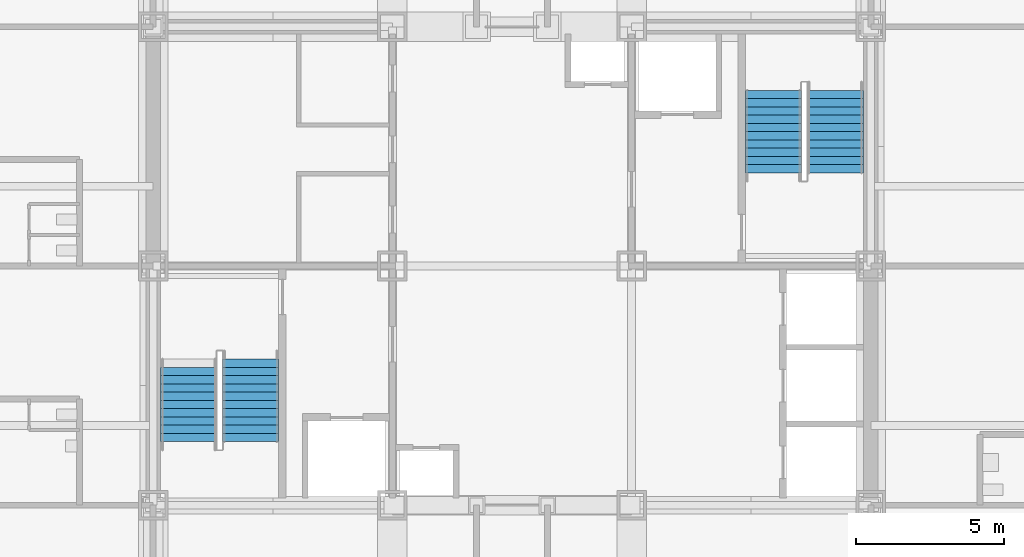
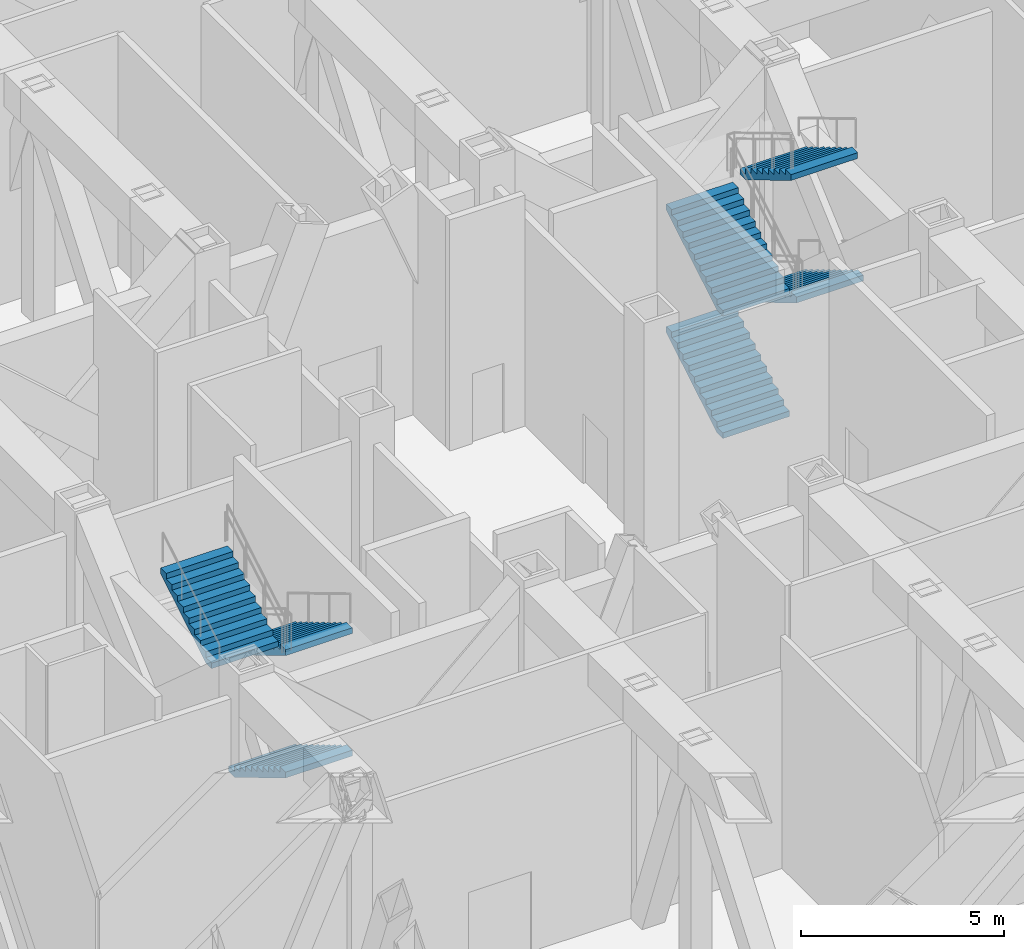
# One storey, part 11 of 13: 7 stair flights, 2 elements without a shape of their own.
"""IFC4 building model written with IfcOpenShell, lengths in metres."""

import ifcopenshell
import ifcopenshell.guid

model = None  # the IFC model being written
_history = None  # IfcOwnerHistory: only IFC2X3 demands one
_inside = {}  # id of a spatial element -> (the spatial element, [elements in it])
_under = {}  # id of a project, library or spatial element -> (it, [spatial elements below it])
_declared = {}  # id of a project -> (the project, [libraries it declares])
_typed = {}  # id of a type object -> (the type object, [elements of that type])
_made_of = {}  # id of a material, layer set ... -> (it, [elements and type objects made of it])


def new_model(schema):
    """Start an empty IFC model of exactly this schema.

    Asked for "IFC4X3", IfcOpenShell would pick the latest addendum, in which some entities
    have other attributes; the version numbers below select the first issue.
    IFC2X3 requires an IfcOwnerHistory on every rooted entity: one is made here for all.
    """
    global model, _history
    if schema == "IFC4X3":
        model = ifcopenshell.file(schema_version=(4, 3, 0, 0))
    else:
        model = ifcopenshell.file(schema=schema)
    _inside.clear()
    _under.clear()
    _declared.clear()
    _typed.clear()
    _made_of.clear()
    _history = None
    if model.schema == "IFC2X3":
        org = make("IfcOrganization", Name="unknown")
        user = make(
            "IfcPersonAndOrganization",
            ThePerson=make("IfcPerson", FamilyName="unknown"),
            TheOrganization=org,
        )
        app = make(
            "IfcApplication",
            ApplicationDeveloper=org,
            Version="unknown",
            ApplicationFullName="unknown",
            ApplicationIdentifier="unknown",
        )
        _history = make(
            "IfcOwnerHistory",
            OwningUser=user,
            OwningApplication=app,
            ChangeAction="ADDED",
            CreationDate=0,
        )
    return model


def make(cls, **values):
    """One entity of the class cls with the attributes given. An attribute that is None is left unset."""
    return model.create_entity(
        cls, **{name: value for name, value in values.items() if value is not None}
    )


def rooted(cls, **values):
    """An entity with a GlobalId (a new one), such as an element, a storey or a relation."""
    return make(cls, GlobalId=ifcopenshell.guid.new(), OwnerHistory=_history, **values)


def si_unit(unit_type, name, prefix=None):
    """IfcSIUnit, for example si_unit("LENGTHUNIT", "METRE", prefix="MILLI")."""
    return make("IfcSIUnit", UnitType=unit_type, Prefix=prefix, Name=name)


def assignment(units):
    """IfcUnitAssignment: the units of a project."""
    return None if units is None else make("IfcUnitAssignment", Units=units)


def point(xyz):
    """IfcCartesianPoint."""
    return None if xyz is None else make("IfcCartesianPoint", Coordinates=xyz)


def direction(xyz):
    """IfcDirection."""
    return None if xyz is None else make("IfcDirection", DirectionRatios=xyz)


def frame(location, z_axis=None, x_axis=None):
    """IfcAxis2Placement3D, a coordinate frame: its origin and axes. An axis left out is left unset."""
    return make(
        "IfcAxis2Placement3D",
        Location=point(location),
        Axis=direction(z_axis),
        RefDirection=direction(x_axis),
    )


def origin():
    """The frame at (0, 0, 0) with its axes left unset."""
    return frame((0.0, 0.0, 0.0))


def place(relative_to, where):
    """IfcLocalPlacement: puts the frame where relative to a parent placement (None: the world)."""
    return make(
        "IfcLocalPlacement", PlacementRelTo=relative_to, RelativePlacement=where
    )


def context(
    kind, dimensions, precision=None, world=None, true_north=None, identifier=None
):
    """IfcGeometricRepresentationContext, for example the 3D "Model" context."""
    return make(
        "IfcGeometricRepresentationContext",
        ContextIdentifier=identifier,
        ContextType=kind,
        CoordinateSpaceDimension=dimensions,
        Precision=precision,
        WorldCoordinateSystem=world,
        TrueNorth=true_north,
    )


def subcontext(parent, identifier, kind, view, scale=None):
    """IfcGeometricRepresentationSubContext, for example "Body" below "Model"."""
    return make(
        "IfcGeometricRepresentationSubContext",
        ContextIdentifier=identifier,
        ContextType=kind,
        ParentContext=parent,
        TargetScale=scale,
        TargetView=view,
    )


def project(units=None, contexts=None):
    """IfcProject with its units and contexts."""
    return rooted(
        "IfcProject",
        Name="project",
        RepresentationContexts=contexts,
        UnitsInContext=assignment(units),
    )


def spatial(cls, under=None, at=None, **own):
    """A site, building, storey or space (cls), placed at a placement, below another one or the project."""
    s = rooted(cls, ObjectPlacement=at, **own)
    if under is not None:
        _under.setdefault(under.id(), (under, []))[1].append(s)
    return s


def point_list(points):
    """IfcCartesianPointList2D or 3D."""
    cls = (
        "IfcCartesianPointList2D" if len(points[0]) == 2 else "IfcCartesianPointList3D"
    )
    return make(cls, CoordList=points)


def polygons(points, faces, closed=None, point_numbers=None):
    """IfcPolygonalFaceSet: a face is its outer loop, then its inner loops; points numbered from 1."""
    made = []
    for loops in faces:
        if len(loops) == 1:
            made.append(make("IfcIndexedPolygonalFace", CoordIndex=loops[0]))
        else:
            made.append(
                make(
                    "IfcIndexedPolygonalFaceWithVoids",
                    CoordIndex=loops[0],
                    InnerCoordIndices=loops[1:],
                )
            )
    return make(
        "IfcPolygonalFaceSet",
        Coordinates=point_list(points),
        Closed=closed,
        Faces=made,
        PnIndex=point_numbers,
    )


def shape(context_of_items, identifier, shape_type, items):
    """IfcShapeRepresentation: the items that make up one representation, for example the "Body"."""
    return make(
        "IfcShapeRepresentation",
        ContextOfItems=context_of_items,
        RepresentationIdentifier=identifier,
        RepresentationType=shape_type,
        Items=items,
    )


def source(mapping_origin, context_of_items, identifier, shape_type, items):
    """IfcRepresentationMap: a shape defined once, which mapped items show again and again."""
    return make(
        "IfcRepresentationMap",
        MappingOrigin=mapping_origin,
        MappedRepresentation=shape(context_of_items, identifier, shape_type, items),
    )


def transform(
    local_origin,
    x_axis=None,
    y_axis=None,
    z_axis=None,
    scale=None,
    scale2=None,
    scale3=None,
    uniform=True,
):
    """IfcCartesianTransformationOperator3D, or its non-uniform kind. x_axis, y_axis, z_axis: its Axis1, 2, 3."""
    if uniform:
        return make(
            "IfcCartesianTransformationOperator3D",
            Axis1=direction(x_axis),
            Axis2=direction(y_axis),
            LocalOrigin=point(local_origin),
            Scale=scale,
            Axis3=direction(z_axis),
        )
    return make(
        "IfcCartesianTransformationOperator3DnonUniform",
        Axis1=direction(x_axis),
        Axis2=direction(y_axis),
        LocalOrigin=point(local_origin),
        Scale=scale,
        Axis3=direction(z_axis),
        Scale2=scale2,
        Scale3=scale3,
    )


def mapped(mapping_source, mapping_target):
    """IfcMappedItem: shows the shape of a source again, moved by a transform."""
    return make(
        "IfcMappedItem", MappingSource=mapping_source, MappingTarget=mapping_target
    )


def material(Name=None, Category=None):
    """IfcMaterial."""
    return make("IfcMaterial", Name=Name, Category=Category)


def made_of(thing, what):
    """Note that an element or type object is made of a material, layer set ...; save() writes the relation."""
    if what is not None:
        _made_of.setdefault(what.id(), (what, []))[1].append(thing)
    return thing


def type_object(cls, material=None, **own):
    """A type object (cls), such as IfcWallType, which elements share."""
    return made_of(rooted(cls, **own), material)


def element(
    cls,
    number,
    at=None,
    inside=None,
    cuts=None,
    type_object=None,
    material=None,
    context=None,
    identifier="Body",
    shape_type=None,
    held_by="IfcProductDefinitionShape",
    body=None,
    shapes=None,
    **own,
):
    """One element of the class cls, such as IfcWall. Its Tag is "e" and its number.

    at: its placement. inside: the storey or other place that contains it. cuts: it is an
    opening in that element (IfcRelVoidsElement). A single representation is given by context,
    identifier, shape_type and body (its items); several are given by shapes. held_by: the class
    of the entity that holds the representations. save() writes the other relations.
    """
    e = rooted(cls, Tag="e%d" % number, ObjectPlacement=at, **own)
    if body is not None:
        shapes = [shape(context, identifier, shape_type, body)]
    if shapes is not None:
        e.Representation = make(held_by, Representations=shapes)
    if inside is not None:
        _inside.setdefault(inside.id(), (inside, []))[1].append(e)
    if cuts is not None:
        rooted(
            "IfcRelVoidsElement", RelatingBuildingElement=cuts, RelatedOpeningElement=e
        )
    if type_object is not None:
        _typed.setdefault(type_object.id(), (type_object, []))[1].append(e)
    return made_of(e, material)


def aggregate(whole, parts):
    """IfcRelAggregates: a whole, such as a stair, and the parts it consists of."""
    return rooted("IfcRelAggregates", RelatingObject=whole, RelatedObjects=parts)


def save(model, path):
    """Write the relations noted so far, then the file.

    IfcRelAggregates (storeys below a building ...), IfcRelContainedInSpatialStructure (elements
    in a storey), IfcRelDefinesByType, IfcRelAssociatesMaterial and IfcRelDeclares: one each for
    every whole, place, type object, material and project.
    """
    for whole, parts in _under.values():
        aggregate(whole, parts)
    for where, things in _inside.values():
        rooted(
            "IfcRelContainedInSpatialStructure",
            RelatedElements=things,
            RelatingStructure=where,
        )
    for kind, things in _typed.values():
        rooted("IfcRelDefinesByType", RelatedObjects=things, RelatingType=kind)
    for what, things in _made_of.values():
        rooted("IfcRelAssociatesMaterial", RelatedObjects=things, RelatingMaterial=what)
    for by, libraries in _declared.values():
        rooted("IfcRelDeclares", RelatingContext=by, RelatedDefinitions=libraries)
    model.write(path)


model = new_model("IFC4")

# Units and contexts
model_context = context("Model", 3, precision=1e-05, world=origin(), true_north=direction((0.0, 1.0)))
body_context = subcontext(model_context, "Body", "Model", "MODEL_VIEW")
ifc_project = project(units=[si_unit("LENGTHUNIT", "METRE"), si_unit("AREAUNIT", "SQUARE_METRE"), si_unit("VOLUMEUNIT", "CUBIC_METRE"), si_unit("PLANEANGLEUNIT", "RADIAN"), si_unit("MASSUNIT", "GRAM", prefix="KILO")], contexts=[model_context])

# Site, building, storey
site_placement = place(None, origin())
site = spatial("IfcSite", under=ifc_project, at=site_placement, CompositionType="ELEMENT")
building_placement = place(site_placement, origin())
building = spatial("IfcBuilding", under=site, at=building_placement, Name="Kopane Lantern Tower", CompositionType="ELEMENT")
storey_placement = place(building_placement, frame((0.0, 0.0, 235.199951171875)))
storey = spatial("IfcBuildingStorey", under=building, at=storey_placement, Name="L61", CompositionType="ELEMENT", Elevation=235.199951171875)

# Stair, stair flights
ifc_material_1 = material(Name="Steel S355JR", Category="steel")
stair_type = type_object("IfcStairType", Name="EXIT STAIR 1900 HALF TURN", PredefinedType="HALF_TURN_STAIR", material=ifc_material_1)
stair_1_placement = place(storey_placement, origin())
stair_1 = element("IfcStair", 1, at=stair_1_placement, inside=storey, type_object=stair_type, Name="Exit stair ST1 L61", PredefinedType="HALF_TURN_STAIR")
ifc_material_2 = material(Name="Steel S355JR", Category="steel")
stair_flight_type = type_object("IfcStairFlightType", Name="STAIR FLIGHT 1900 STEEL", PredefinedType="STRAIGHT", material=ifc_material_2)
shared_shape_1 = source(origin(), body_context, "Body", "Tessellation", [
    polygons([(2.800048828, 0.949951172, 1.674316406), (2.520019531, 0.949951172, 1.674316406), (2.520019531, -0.949951172, 1.674316406), (2.800048828, -0.949951172, 1.674316406), (0.291992188, 0.949951172, 0.0), (2.800048828, 0.949951172, 1.499755859), (2.800048828, -0.949951172, 1.499755859), (0.291992188, -0.949951172, 0.0), (0.0, 0.949951172, 0.0), (0.0, -0.949951172, 0.0), (0.280029297, 0.949951172, 0.167480469), (0.0, 0.949951172, 0.167480469), (0.0, -0.949951172, 0.167480469), (0.280029297, -0.949951172, 0.167480469), (0.280029297, 0.949951172, 0.334960938), (0.280029297, -0.949951172, 0.334960938), (0.560058594, 0.949951172, 0.334960938), (0.560058594, -0.949951172, 0.334960938), (0.560058594, 0.949951172, 0.502441406), (0.560058594, -0.949951172, 0.502441406), (0.840087891, 0.949951172, 0.502441406), (0.840087891, -0.949951172, 0.502441406), (0.840087891, 0.949951172, 0.669677734), (0.840087891, -0.949951172, 0.669677734), (1.120117188, 0.949951172, 0.669677734), (1.120117188, -0.949951172, 0.669677734), (1.120117188, 0.949951172, 0.837158203), (1.120117188, -0.949951172, 0.837158203), (1.399902344, 0.949951172, 0.837158203), (1.399902344, -0.949951172, 0.837158203), (1.399902344, 0.949951172, 1.004638672), (1.399902344, -0.949951172, 1.004638672), (1.679931641, 0.949951172, 1.004638672), (1.679931641, -0.949951172, 1.004638672), (1.679931641, 0.949951172, 1.172119141), (1.679931641, -0.949951172, 1.172119141), (1.959960938, 0.949951172, 1.172119141), (1.959960938, -0.949951172, 1.172119141), (1.959960938, 0.949951172, 1.339599609), (1.959960938, -0.949951172, 1.339599609), (2.239990234, 0.949951172, 1.339599609), (2.239990234, -0.949951172, 1.339599609), (2.239990234, 0.949951172, 1.507080078), (2.239990234, -0.949951172, 1.507080078), (2.520019531, 0.949951172, 1.507080078), (2.520019531, -0.949951172, 1.507080078), (0.0, 0.0, 0.004526499), (0.0, 0.0, 0.009052998), (0.0, 0.0, 0.013579497), (0.0, 0.0, 0.018105997), (0.0, 0.0, 0.022632496), (0.0, 0.0, 0.027158995), (0.0, 0.0, 0.031685494), (0.0, 0.0, 0.036211993), (0.0, 0.0, 0.040738492), (0.0, 0.0, 0.045264992), (0.0, 0.0, 0.049791491), (0.0, 0.0, 0.05431799), (0.0, 0.0, 0.058844489), (0.0, 0.0, 0.063370988), (0.0, 0.0, 0.067897487), (0.0, 0.0, 0.072423986), (0.0, 0.0, 0.076950486), (0.0, 0.0, 0.081476985), (0.0, 0.0, 0.086003484), (0.0, 0.0, 0.090529983), (0.0, 0.0, 0.095056482), (0.0, 0.0, 0.099582981), (0.0, 0.0, 0.104109481), (0.0, 0.0, 0.10863598), (0.0, 0.0, 0.113162479), (0.0, 0.0, 0.117688978), (0.0, 0.0, 0.122215477), (0.0, 0.0, 0.126741976), (0.0, 0.0, 0.131268476), (0.0, 0.0, 0.135794975), (0.0, 0.0, 0.140321474), (0.0, 0.0, 0.144847973), (0.0, 0.0, 0.149374472), (0.0, 0.0, 0.153900971), (0.0, 0.0, 0.15842747), (0.0, 0.0, 0.16295397), (2.800048828, 0.0, 1.504473712), (2.800048828, 0.0, 1.509191565), (2.800048828, 0.0, 1.513909417), (2.800048828, 0.0, 1.51862727), (2.800048828, 0.0, 1.523345122), (2.800048828, 0.0, 1.528062975), (2.800048828, 0.0, 1.532780828), (2.800048828, 0.0, 1.53749868), (2.800048828, 0.0, 1.542216533), (2.800048828, 0.0, 1.546934386), (2.800048828, 0.0, 1.551652238), (2.800048828, 0.0, 1.556370091), (2.800048828, 0.0, 1.561087943), (2.800048828, 0.0, 1.565805796), (2.800048828, 0.0, 1.570523649), (2.800048828, 0.0, 1.575241501), (2.800048828, 0.0, 1.579959354), (2.800048828, 0.0, 1.584677207), (2.800048828, 0.0, 1.589395059), (2.800048828, 0.0, 1.594112912), (2.800048828, 0.0, 1.598830764), (2.800048828, 0.0, 1.603548617), (2.800048828, 0.0, 1.60826647), (2.800048828, 0.0, 1.612984322), (2.800048828, 0.0, 1.617702175), (2.800048828, 0.0, 1.622420027), (2.800048828, 0.0, 1.62713788), (2.800048828, 0.0, 1.631855733), (2.800048828, 0.0, 1.636573585), (2.800048828, 0.0, 1.641291438), (2.800048828, 0.0, 1.646009291), (2.800048828, 0.0, 1.650727143), (2.800048828, 0.0, 1.655444996), (2.800048828, 0.0, 1.660162848), (2.800048828, 0.0, 1.664880701), (2.800048828, 0.0, 1.669598554)], [[[1, 2, 3]], [[1, 3, 4]], [[5, 6, 7]], [[5, 7, 8]], [[9, 5, 8]], [[9, 8, 10]], [[11, 12, 13]], [[11, 13, 14]], [[15, 11, 14]], [[15, 14, 16]], [[17, 15, 16]], [[17, 16, 18]], [[19, 17, 18]], [[19, 18, 20]], [[21, 19, 20]], [[21, 20, 22]], [[23, 21, 22]], [[23, 22, 24]], [[25, 23, 24]], [[25, 24, 26]], [[27, 25, 26]], [[27, 26, 28]], [[29, 27, 28]], [[29, 28, 30]], [[31, 29, 30]], [[31, 30, 32]], [[33, 31, 32]], [[33, 32, 34]], [[35, 33, 34]], [[35, 34, 36]], [[37, 35, 36]], [[37, 36, 38]], [[39, 37, 38]], [[39, 38, 40]], [[41, 39, 40]], [[41, 40, 42]], [[43, 41, 42]], [[43, 42, 44]], [[45, 43, 44]], [[45, 44, 46]], [[2, 45, 46]], [[2, 46, 3]], [[45, 1, 6]], [[41, 45, 6]], [[2, 1, 45]], [[37, 41, 6]], [[43, 45, 41]], [[39, 41, 37]], [[35, 37, 33]], [[31, 33, 29]], [[5, 21, 25]], [[27, 29, 25]], [[17, 21, 5]], [[23, 25, 21]], [[11, 17, 5]], [[19, 21, 17]], [[9, 11, 5]], [[15, 17, 11]], [[12, 11, 9]], [[6, 5, 25]], [[6, 25, 29]], [[6, 29, 33]], [[6, 33, 37]], [[7, 4, 46]], [[7, 46, 42]], [[46, 4, 3]], [[7, 42, 38]], [[42, 46, 44]], [[38, 42, 40]], [[34, 38, 36]], [[30, 34, 32]], [[26, 22, 8]], [[26, 30, 28]], [[8, 22, 18]], [[22, 26, 24]], [[8, 18, 14]], [[18, 22, 20]], [[8, 14, 10]], [[14, 18, 16]], [[10, 14, 13]], [[26, 8, 7]], [[30, 26, 7]], [[34, 30, 7]], [[38, 34, 7]], [[10, 47, 9]], [[10, 48, 47]], [[9, 47, 48]], [[10, 49, 48]], [[9, 48, 49]], [[10, 50, 49]], [[9, 49, 50]], [[10, 51, 50]], [[9, 50, 51]], [[10, 52, 51]], [[9, 51, 52]], [[10, 53, 52]], [[9, 52, 53]], [[10, 54, 53]], [[9, 53, 54]], [[10, 55, 54]], [[9, 54, 55]], [[10, 56, 55]], [[9, 55, 56]], [[10, 57, 56]], [[9, 56, 57]], [[10, 58, 57]], [[9, 57, 58]], [[10, 59, 58]], [[9, 58, 59]], [[10, 60, 59]], [[9, 59, 60]], [[10, 61, 60]], [[9, 60, 61]], [[10, 62, 61]], [[9, 61, 62]], [[10, 63, 62]], [[9, 62, 63]], [[10, 64, 63]], [[9, 63, 64]], [[10, 65, 64]], [[9, 64, 65]], [[10, 66, 65]], [[9, 65, 66]], [[10, 67, 66]], [[9, 66, 67]], [[10, 68, 67]], [[9, 67, 68]], [[10, 69, 68]], [[9, 68, 69]], [[10, 70, 69]], [[9, 69, 70]], [[10, 71, 70]], [[9, 70, 71]], [[10, 72, 71]], [[9, 71, 72]], [[10, 73, 72]], [[9, 72, 73]], [[10, 74, 73]], [[9, 73, 74]], [[10, 75, 74]], [[9, 74, 75]], [[10, 76, 75]], [[9, 75, 76]], [[10, 77, 76]], [[9, 76, 77]], [[10, 78, 77]], [[9, 77, 78]], [[10, 79, 78]], [[9, 78, 79]], [[10, 80, 79]], [[9, 79, 80]], [[10, 81, 80]], [[9, 80, 81]], [[10, 82, 81]], [[9, 81, 82]], [[10, 13, 82]], [[82, 13, 12]], [[9, 82, 12]], [[7, 6, 83]], [[7, 83, 84]], [[6, 84, 83]], [[7, 84, 85]], [[6, 85, 84]], [[7, 85, 86]], [[6, 86, 85]], [[7, 86, 87]], [[6, 87, 86]], [[7, 87, 88]], [[6, 88, 87]], [[7, 88, 89]], [[6, 89, 88]], [[7, 89, 90]], [[6, 90, 89]], [[7, 90, 91]], [[6, 91, 90]], [[7, 91, 92]], [[6, 92, 91]], [[7, 92, 93]], [[6, 93, 92]], [[7, 93, 94]], [[6, 94, 93]], [[7, 94, 95]], [[6, 95, 94]], [[7, 95, 96]], [[6, 96, 95]], [[7, 96, 97]], [[6, 97, 96]], [[7, 97, 98]], [[6, 98, 97]], [[7, 98, 99]], [[6, 99, 98]], [[7, 99, 100]], [[6, 100, 99]], [[7, 100, 101]], [[6, 101, 100]], [[7, 101, 102]], [[6, 102, 101]], [[7, 102, 103]], [[6, 103, 102]], [[7, 103, 104]], [[6, 104, 103]], [[7, 104, 105]], [[6, 105, 104]], [[7, 105, 106]], [[6, 106, 105]], [[7, 106, 107]], [[6, 107, 106]], [[7, 107, 108]], [[6, 108, 107]], [[7, 108, 109]], [[6, 109, 108]], [[7, 109, 110]], [[6, 110, 109]], [[7, 110, 111]], [[6, 111, 110]], [[7, 111, 112]], [[6, 112, 111]], [[7, 112, 113]], [[6, 113, 112]], [[7, 113, 114]], [[6, 114, 113]], [[7, 114, 115]], [[6, 115, 114]], [[7, 115, 116]], [[6, 116, 115]], [[7, 116, 117]], [[6, 117, 116]], [[7, 117, 118]], [[6, 118, 117]], [[7, 118, 4]], [[118, 1, 4]], [[6, 1, 118]]], closed=True),
])
stair_flight_1_placement = place(storey_placement, frame((19.5, 29.25, 0.0), z_axis=(0.0, 0.0, 1.0), x_axis=(0.0, -1.0, 0.0)))
stair_flight_1 = element("IfcStairFlight", 2, at=stair_flight_1_placement, type_object=stair_flight_type, Name="ST1 flight 1", NumberOfRisers=11, NumberOfTreads=10, PredefinedType="STRAIGHT", RiserHeight=0.16744186, TreadLength=0.28, context=body_context, shape_type="MappedRepresentation", body=[
    mapped(shared_shape_1, transform((0.0, 0.0, 0.0))),
])
stair_flight_2_placement = place(storey_placement, frame((19.5, 29.25, 3.683837890625), z_axis=(0.0, 0.0, 1.0), x_axis=(0.0, -1.0, 0.0)))
stair_flight_2 = element("IfcStairFlight", 3, at=stair_flight_2_placement, type_object=stair_flight_type, Name="ST1 flight 3", NumberOfRisers=11, NumberOfTreads=10, PredefinedType="STRAIGHT", RiserHeight=0.16744186, TreadLength=0.28, context=body_context, shape_type="MappedRepresentation", body=[
    mapped(shared_shape_1, transform((0.0, 0.0, 0.0))),
])

stair_2_placement = place(storey_placement, origin())
stair_2 = element("IfcStair", 4, at=stair_2_placement, inside=storey, type_object=stair_type, Name="Exit stair ST2 L61", PredefinedType="HALF_TURN_STAIR")
stair_flight_3_placement = place(storey_placement, frame((37.199951171875, 35.550048828125, 0.0), z_axis=(0.0, 0.0, 1.0), x_axis=(0.0, 1.0, 0.0)))
stair_flight_3 = element("IfcStairFlight", 5, at=stair_flight_3_placement, type_object=stair_flight_type, Name="ST2 flight 1", NumberOfRisers=11, NumberOfTreads=10, PredefinedType="STRAIGHT", RiserHeight=0.16744186, TreadLength=0.28, context=body_context, shape_type="MappedRepresentation", body=[
    mapped(shared_shape_1, transform((0.0, 0.0, 0.0))),
])
stair_flight_4_placement = place(storey_placement, frame((39.300048828125, 38.35009765625, 1.842041015625), z_axis=(0.0, 0.0, 1.0), x_axis=(0.0, -1.0, 0.0)))
stair_flight_4 = element("IfcStairFlight", 6, at=stair_flight_4_placement, type_object=stair_flight_type, Name="ST2 flight 2", NumberOfRisers=11, NumberOfTreads=10, PredefinedType="STRAIGHT", RiserHeight=0.16744186, TreadLength=0.28, context=body_context, shape_type="MappedRepresentation", body=[
    mapped(shared_shape_1, transform((0.0, 0.0, 0.0))),
])
stair_flight_5_placement = place(storey_placement, frame((37.199951171875, 35.550048828125, 3.683837890625), z_axis=(0.0, 0.0, 1.0), x_axis=(0.0, 1.0, 0.0)))
stair_flight_5 = element("IfcStairFlight", 7, at=stair_flight_5_placement, type_object=stair_flight_type, Name="ST2 flight 3", NumberOfRisers=11, NumberOfTreads=10, PredefinedType="STRAIGHT", RiserHeight=0.16744186, TreadLength=0.28, context=body_context, shape_type="MappedRepresentation", body=[
    mapped(shared_shape_1, transform((0.0, 0.0, 0.0))),
])

# Stair flight
shared_shape_2 = source(origin(), body_context, "Body", "Tessellation", [
    polygons([(2.520019531, 0.949951172, 1.507080078), (2.239990234, 0.949951172, 1.507080078), (2.239990234, -0.949951172, 1.507080078), (2.520019531, -0.949951172, 1.507080078), (0.291992188, 0.949951172, 0.0), (2.520019531, 0.949951172, 1.332275391), (2.520019531, -0.949951172, 1.332275391), (0.291992188, -0.949951172, 0.0), (0.0, 0.949951172, 0.0), (0.0, -0.949951172, 0.0), (0.280029297, 0.949951172, 0.167480469), (0.0, 0.949951172, 0.167480469), (0.0, -0.949951172, 0.167480469), (0.280029297, -0.949951172, 0.167480469), (0.280029297, 0.949951172, 0.334960938), (0.280029297, -0.949951172, 0.334960938), (0.560058594, 0.949951172, 0.334960938), (0.560058594, -0.949951172, 0.334960938), (0.560058594, 0.949951172, 0.502441406), (0.560058594, -0.949951172, 0.502441406), (0.840087891, 0.949951172, 0.502441406), (0.840087891, -0.949951172, 0.502441406), (0.840087891, 0.949951172, 0.669677734), (0.840087891, -0.949951172, 0.669677734), (1.120117188, 0.949951172, 0.669677734), (1.120117188, -0.949951172, 0.669677734), (1.120117188, 0.949951172, 0.837158203), (1.120117188, -0.949951172, 0.837158203), (1.399902344, 0.949951172, 0.837158203), (1.399902344, -0.949951172, 0.837158203), (1.399902344, 0.949951172, 1.004638672), (1.399902344, -0.949951172, 1.004638672), (1.679931641, 0.949951172, 1.004638672), (1.679931641, -0.949951172, 1.004638672), (1.679931641, 0.949951172, 1.172119141), (1.679931641, -0.949951172, 1.172119141), (1.959960938, 0.949951172, 1.172119141), (1.959960938, -0.949951172, 1.172119141), (1.959960938, 0.949951172, 1.339599609), (1.959960938, -0.949951172, 1.339599609), (2.239990234, 0.949951172, 1.339599609), (2.239990234, -0.949951172, 1.339599609), (0.0, 0.0, 0.004526499), (0.0, 0.0, 0.009052998), (0.0, 0.0, 0.013579497), (0.0, 0.0, 0.018105997), (0.0, 0.0, 0.022632496), (0.0, 0.0, 0.027158995), (0.0, 0.0, 0.031685494), (0.0, 0.0, 0.036211993), (0.0, 0.0, 0.040738492), (0.0, 0.0, 0.045264992), (0.0, 0.0, 0.049791491), (0.0, 0.0, 0.05431799), (0.0, 0.0, 0.058844489), (0.0, 0.0, 0.063370988), (0.0, 0.0, 0.067897487), (0.0, 0.0, 0.072423986), (0.0, 0.0, 0.076950486), (0.0, 0.0, 0.081476985), (0.0, 0.0, 0.086003484), (0.0, 0.0, 0.090529983), (0.0, 0.0, 0.095056482), (0.0, 0.0, 0.099582981), (0.0, 0.0, 0.104109481), (0.0, 0.0, 0.10863598), (0.0, 0.0, 0.113162479), (0.0, 0.0, 0.117688978), (0.0, 0.0, 0.122215477), (0.0, 0.0, 0.126741976), (0.0, 0.0, 0.131268476), (0.0, 0.0, 0.135794975), (0.0, 0.0, 0.140321474), (0.0, 0.0, 0.144847973), (0.0, 0.0, 0.149374472), (0.0, 0.0, 0.153900971), (0.0, 0.0, 0.15842747), (0.0, 0.0, 0.16295397), (2.520019531, 0.0, 1.336999842), (2.520019531, 0.0, 1.341724293), (2.520019531, 0.0, 1.346448744), (2.520019531, 0.0, 1.351173195), (2.520019531, 0.0, 1.355897646), (2.520019531, 0.0, 1.360622097), (2.520019531, 0.0, 1.365346548), (2.520019531, 0.0, 1.370070999), (2.520019531, 0.0, 1.37479545), (2.520019531, 0.0, 1.379519901), (2.520019531, 0.0, 1.384244352), (2.520019531, 0.0, 1.388968803), (2.520019531, 0.0, 1.393693254), (2.520019531, 0.0, 1.398417705), (2.520019531, 0.0, 1.403142156), (2.520019531, 0.0, 1.407866607), (2.520019531, 0.0, 1.412591058), (2.520019531, 0.0, 1.417315509), (2.520019531, 0.0, 1.42203996), (2.520019531, 0.0, 1.426764411), (2.520019531, 0.0, 1.431488862), (2.520019531, 0.0, 1.436213313), (2.520019531, 0.0, 1.440937764), (2.520019531, 0.0, 1.445662215), (2.520019531, 0.0, 1.450386666), (2.520019531, 0.0, 1.455111117), (2.520019531, 0.0, 1.459835568), (2.520019531, 0.0, 1.464560019), (2.520019531, 0.0, 1.46928447), (2.520019531, 0.0, 1.474008921), (2.520019531, 0.0, 1.478733372), (2.520019531, 0.0, 1.483457823), (2.520019531, 0.0, 1.488182274), (2.520019531, 0.0, 1.492906725), (2.520019531, 0.0, 1.497631176), (2.520019531, 0.0, 1.502355627)], [[[1, 2, 3]], [[1, 3, 4]], [[5, 6, 7]], [[5, 7, 8]], [[9, 5, 8]], [[9, 8, 10]], [[11, 12, 13]], [[11, 13, 14]], [[15, 11, 14]], [[15, 14, 16]], [[17, 15, 16]], [[17, 16, 18]], [[19, 17, 18]], [[19, 18, 20]], [[21, 19, 20]], [[21, 20, 22]], [[23, 21, 22]], [[23, 22, 24]], [[25, 23, 24]], [[25, 24, 26]], [[27, 25, 26]], [[27, 26, 28]], [[29, 27, 28]], [[29, 28, 30]], [[31, 29, 30]], [[31, 30, 32]], [[33, 31, 32]], [[33, 32, 34]], [[35, 33, 34]], [[35, 34, 36]], [[37, 35, 36]], [[37, 36, 38]], [[39, 37, 38]], [[39, 38, 40]], [[41, 39, 40]], [[41, 40, 42]], [[2, 41, 42]], [[2, 42, 3]], [[41, 1, 6]], [[37, 41, 6]], [[2, 1, 41]], [[33, 37, 6]], [[39, 41, 37]], [[35, 37, 33]], [[31, 33, 29]], [[5, 21, 25]], [[27, 29, 25]], [[17, 21, 5]], [[23, 25, 21]], [[11, 17, 5]], [[19, 21, 17]], [[9, 11, 5]], [[15, 17, 11]], [[12, 11, 9]], [[6, 5, 25]], [[6, 25, 29]], [[6, 29, 33]], [[7, 4, 42]], [[7, 42, 38]], [[42, 4, 3]], [[7, 38, 34]], [[38, 42, 40]], [[34, 38, 36]], [[30, 34, 32]], [[26, 22, 8]], [[26, 30, 28]], [[8, 22, 18]], [[22, 26, 24]], [[8, 18, 14]], [[18, 22, 20]], [[8, 14, 10]], [[14, 18, 16]], [[10, 14, 13]], [[26, 8, 7]], [[30, 26, 7]], [[34, 30, 7]], [[10, 43, 9]], [[10, 44, 43]], [[9, 43, 44]], [[10, 45, 44]], [[9, 44, 45]], [[10, 46, 45]], [[9, 45, 46]], [[10, 47, 46]], [[9, 46, 47]], [[10, 48, 47]], [[9, 47, 48]], [[10, 49, 48]], [[9, 48, 49]], [[10, 50, 49]], [[9, 49, 50]], [[10, 51, 50]], [[9, 50, 51]], [[10, 52, 51]], [[9, 51, 52]], [[10, 53, 52]], [[9, 52, 53]], [[10, 54, 53]], [[9, 53, 54]], [[10, 55, 54]], [[9, 54, 55]], [[10, 56, 55]], [[9, 55, 56]], [[10, 57, 56]], [[9, 56, 57]], [[10, 58, 57]], [[9, 57, 58]], [[10, 59, 58]], [[9, 58, 59]], [[10, 60, 59]], [[9, 59, 60]], [[10, 61, 60]], [[9, 60, 61]], [[10, 62, 61]], [[9, 61, 62]], [[10, 63, 62]], [[9, 62, 63]], [[10, 64, 63]], [[9, 63, 64]], [[10, 65, 64]], [[9, 64, 65]], [[10, 66, 65]], [[9, 65, 66]], [[10, 67, 66]], [[9, 66, 67]], [[10, 68, 67]], [[9, 67, 68]], [[10, 69, 68]], [[9, 68, 69]], [[10, 70, 69]], [[9, 69, 70]], [[10, 71, 70]], [[9, 70, 71]], [[10, 72, 71]], [[9, 71, 72]], [[10, 73, 72]], [[9, 72, 73]], [[10, 74, 73]], [[9, 73, 74]], [[10, 75, 74]], [[9, 74, 75]], [[10, 76, 75]], [[9, 75, 76]], [[10, 77, 76]], [[9, 76, 77]], [[10, 78, 77]], [[9, 77, 78]], [[10, 13, 78]], [[78, 13, 12]], [[9, 78, 12]], [[7, 6, 79]], [[7, 79, 80]], [[6, 80, 79]], [[7, 80, 81]], [[6, 81, 80]], [[7, 81, 82]], [[6, 82, 81]], [[7, 82, 83]], [[6, 83, 82]], [[7, 83, 84]], [[6, 84, 83]], [[7, 84, 85]], [[6, 85, 84]], [[7, 85, 86]], [[6, 86, 85]], [[7, 86, 87]], [[6, 87, 86]], [[7, 87, 88]], [[6, 88, 87]], [[7, 88, 89]], [[6, 89, 88]], [[7, 89, 90]], [[6, 90, 89]], [[7, 90, 91]], [[6, 91, 90]], [[7, 91, 92]], [[6, 92, 91]], [[7, 92, 93]], [[6, 93, 92]], [[7, 93, 94]], [[6, 94, 93]], [[7, 94, 95]], [[6, 95, 94]], [[7, 95, 96]], [[6, 96, 95]], [[7, 96, 97]], [[6, 97, 96]], [[7, 97, 98]], [[6, 98, 97]], [[7, 98, 99]], [[6, 99, 98]], [[7, 99, 100]], [[6, 100, 99]], [[7, 100, 101]], [[6, 101, 100]], [[7, 101, 102]], [[6, 102, 101]], [[7, 102, 103]], [[6, 103, 102]], [[7, 103, 104]], [[6, 104, 103]], [[7, 104, 105]], [[6, 105, 104]], [[7, 105, 106]], [[6, 106, 105]], [[7, 106, 107]], [[6, 107, 106]], [[7, 107, 108]], [[6, 108, 107]], [[7, 108, 109]], [[6, 109, 108]], [[7, 109, 110]], [[6, 110, 109]], [[7, 110, 111]], [[6, 111, 110]], [[7, 111, 112]], [[6, 112, 111]], [[7, 112, 113]], [[6, 113, 112]], [[7, 113, 114]], [[6, 114, 113]], [[7, 114, 4]], [[114, 1, 4]], [[6, 1, 114]]], closed=True),
])
stair_flight_6_placement = place(storey_placement, frame((17.39990234375, 26.449951171875, 5.525634765625), z_axis=(0.0, 0.0, 1.0), x_axis=(0.0, 1.0, 0.0)))
stair_flight_6 = element("IfcStairFlight", 8, at=stair_flight_6_placement, type_object=stair_flight_type, Name="ST1 flight 4", NumberOfRisers=10, NumberOfTreads=9, PredefinedType="STRAIGHT", RiserHeight=0.16744186, TreadLength=0.28, context=body_context, shape_type="MappedRepresentation", body=[
    mapped(shared_shape_2, transform((0.0, 0.0, 0.0))),
])

aggregate(stair_1, [stair_flight_1, stair_flight_2, stair_flight_6])

stair_flight_7_placement = place(storey_placement, frame((39.300048828125, 38.35009765625, 5.525634765625), z_axis=(0.0, 0.0, 1.0), x_axis=(0.0, -1.0, 0.0)))
stair_flight_7 = element("IfcStairFlight", 9, at=stair_flight_7_placement, type_object=stair_flight_type, Name="ST2 flight 4", NumberOfRisers=10, NumberOfTreads=9, PredefinedType="STRAIGHT", RiserHeight=0.16744186, TreadLength=0.28, context=body_context, shape_type="MappedRepresentation", body=[
    mapped(shared_shape_2, transform((0.0, 0.0, 0.0))),
])

aggregate(stair_2, [stair_flight_3, stair_flight_4, stair_flight_5, stair_flight_7])

save(model, "model.ifc")
